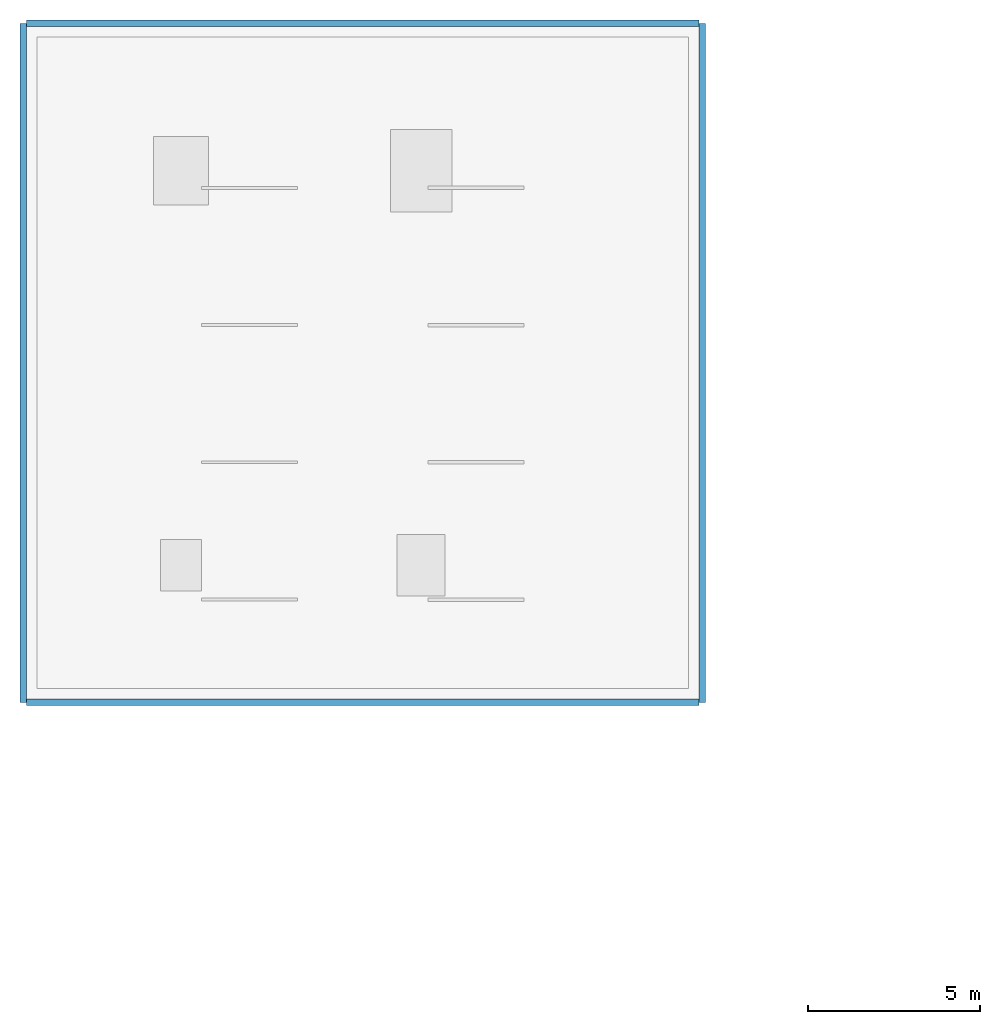
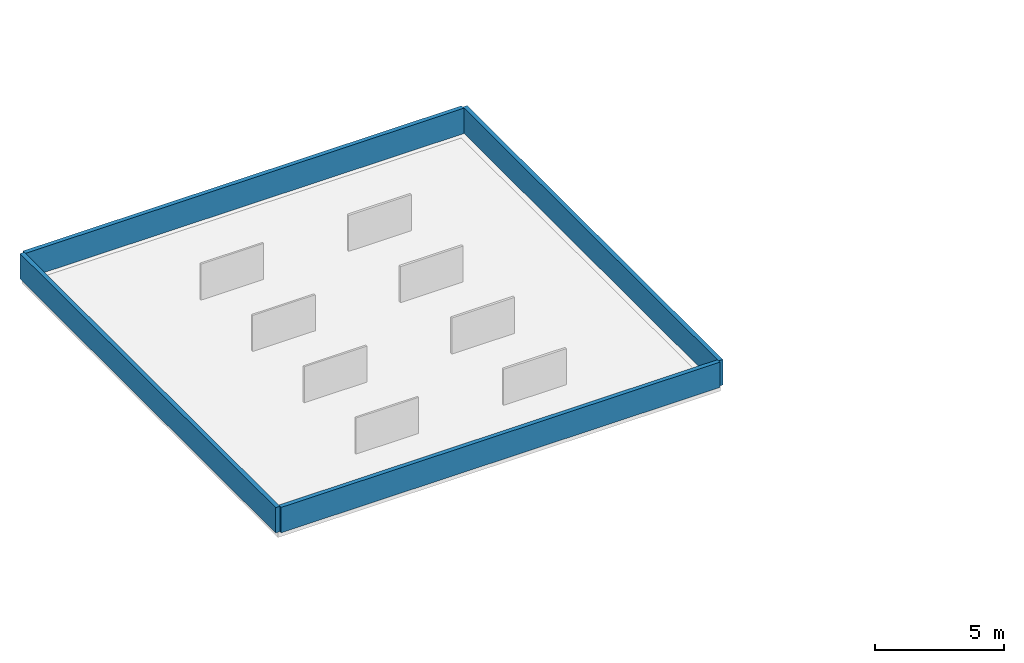
# One storey, part 58 of 66: 4 walls.
"""IFC4 building model written with IfcOpenShell, lengths in metres."""

from ifc_helpers import new_model, si_unit, direction, frame, frame_2d, origin, place, context, subcontext, project, spatial, rectangle, extrude, material, layer, layer_set, type_object, element, save


model = new_model("IFC4")

# Units and contexts
model_context = context("Model", 3, precision=1e-05, world=origin(), true_north=direction((0.0, 1.0)))
body_context = subcontext(model_context, "Body", "Model", "MODEL_VIEW")
ifc_project = project(units=[si_unit("LENGTHUNIT", "METRE"), si_unit("AREAUNIT", "SQUARE_METRE"), si_unit("VOLUMEUNIT", "CUBIC_METRE"), si_unit("PLANEANGLEUNIT", "RADIAN"), si_unit("MASSUNIT", "GRAM", prefix="KILO")], contexts=[model_context])

# Site, building, storey
site_placement = place(None, origin())
site = spatial("IfcSite", under=ifc_project, at=site_placement, CompositionType="ELEMENT")
building_placement = place(site_placement, origin())
building = spatial("IfcBuilding", under=site, at=building_placement, Name="Karori Crest Natural Sciences Institute", CompositionType="ELEMENT")
storey_placement = place(building_placement, frame((0.0, 0.0, 30.10009765625)))
storey = spatial("IfcBuildingStorey", under=building, at=storey_placement, Name="L07", CompositionType="ELEMENT", Elevation=30.10009765625)

# Walls
ifc_material = material(Name="Precast concrete 40 MPa", Category="concrete")
ifc_layer = layer(ifc_material, 0.18994140625, Name="Precast concrete 40 MPa")
ifc_layer_set = layer_set([ifc_layer], Name="Precast concrete 40 MPa")
wall_type = type_object("IfcWallType", Name="WT-06", PredefinedType="PARAPET", material=ifc_layer_set)
wall_1_placement = place(storey_placement, frame((7.39990234375, 95.0, 0.0), z_axis=(0.0, 0.0, 1.0), x_axis=(0.0, 1.0, 0.0)))
element("IfcWall", 1, at=wall_1_placement, inside=storey, type_object=wall_type, Name="Exterior wall EW-0185", PredefinedType="PARAPET", context=body_context, shape_type="SweptSolid", body=[
    extrude(rectangle(XDim=19.800048828125, YDim=0.18994140625, at=frame_2d((9.89990234375, 0.0))), origin(), (0.0, 0.0, 1.0), 1.199951171875),
])
wall_2_placement = place(storey_placement, frame((7.4970703125, 114.800048828125, 0.0), z_axis=(0.0, 0.0, 1.0), x_axis=(1.0, 0.0, 0.0)))
element("IfcWall", 2, at=wall_2_placement, inside=storey, type_object=wall_type, Name="Exterior wall EW-0186", PredefinedType="PARAPET", context=body_context, shape_type="SweptSolid", body=[
    extrude(rectangle(XDim=19.60595703125, YDim=0.18994140625, at=frame_2d((9.802978515625, 0.0))), origin(), (0.0, 0.0, 1.0), 1.199951171875),
])
wall_3_placement = place(storey_placement, frame((27.199951171875, 114.800048828125, 0.0), z_axis=(0.0, 0.0, 1.0), x_axis=(0.0, -1.0, 0.0)))
element("IfcWall", 3, at=wall_3_placement, inside=storey, type_object=wall_type, Name="Exterior wall EW-0187", PredefinedType="PARAPET", context=body_context, shape_type="SweptSolid", body=[
    extrude(rectangle(XDim=19.800048828125, YDim=0.18994140625, at=frame_2d((9.89990234375, 0.0))), origin(), (0.0, 0.0, 1.0), 1.199951171875),
])
wall_4_placement = place(storey_placement, frame((27.10302734375, 95.0, 0.0), z_axis=(0.0, 0.0, 1.0), x_axis=(-1.0, 0.0, 0.0)))
element("IfcWall", 4, at=wall_4_placement, inside=storey, type_object=wall_type, Name="Exterior wall EW-0188", PredefinedType="PARAPET", context=body_context, shape_type="SweptSolid", body=[
    extrude(rectangle(XDim=19.60595703125, YDim=0.18994140625, at=frame_2d((9.802978515625, 0.0))), origin(), (0.0, 0.0, 1.0), 1.199951171875),
])

save(model, "model.ifc")
